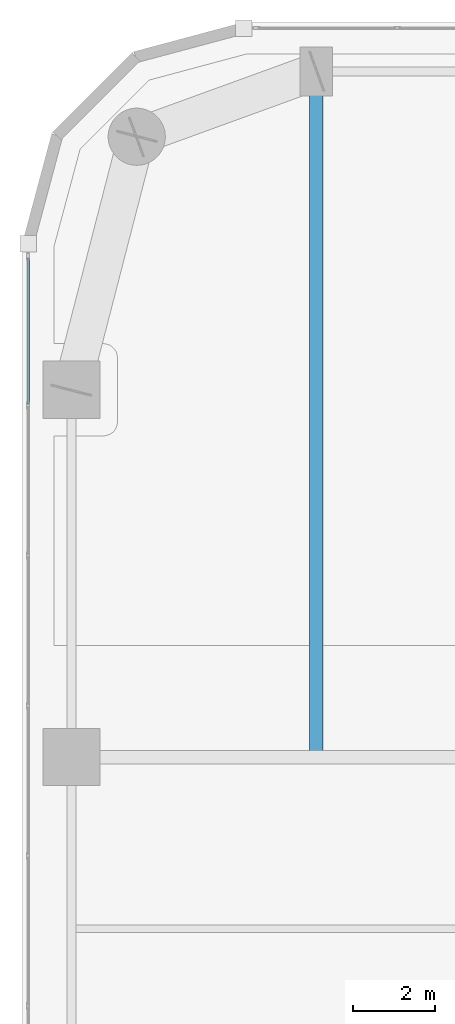
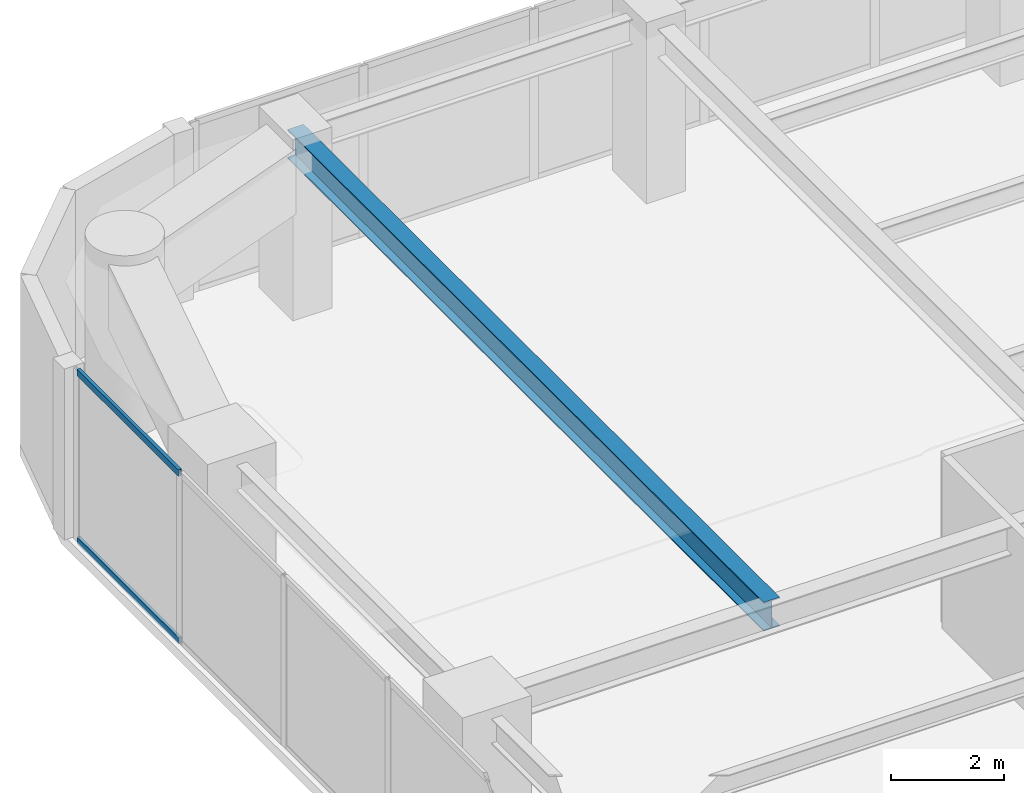
# One storey, part 14 of 30: 2 members, 1 beam, 1 element without a shape of its own.
"""IFC4 building model written with IfcOpenShell, lengths in metres."""

from ifc_helpers import new_model, si_unit, direction, frame, origin, origin_2d, place, context, subcontext, project, spatial, hollow_rectangle, i_section, extrude, material, layer, layer_set, material_profile, profile_set, type_object, element, aggregate, save


model = new_model("IFC4")

# Units and contexts
model_context = context("Model", 3, precision=1e-05, world=origin(), true_north=direction((0.0, 1.0)))
body_context = subcontext(model_context, "Body", "Model", "MODEL_VIEW")
ifc_project = project(units=[si_unit("LENGTHUNIT", "METRE"), si_unit("AREAUNIT", "SQUARE_METRE"), si_unit("VOLUMEUNIT", "CUBIC_METRE"), si_unit("PLANEANGLEUNIT", "RADIAN"), si_unit("MASSUNIT", "GRAM", prefix="KILO")], contexts=[model_context])

# Site, building, storey
site_placement = place(None, origin())
site = spatial("IfcSite", under=ifc_project, at=site_placement, CompositionType="ELEMENT")
building_placement = place(site_placement, origin())
building = spatial("IfcBuilding", under=site, at=building_placement, Name="Kiyonajd Concourse Tower", CompositionType="ELEMENT")
storey_placement = place(building_placement, frame((0.0, 0.0, 150.60009765625)))
storey = spatial("IfcBuildingStorey", under=building, at=storey_placement, Name="L38", CompositionType="ELEMENT", Elevation=150.60009765625)

# Beam
ifc_material_1 = material(Name="Steel ASTM A992 Grade 50", Category="steel")
ifc_material_profile_1 = material_profile(ifc_material_1, i_section(OverallWidth=0.326904296875, OverallDepth=0.6220703125, WebThickness=0.015380859375, FlangeThickness=0.0244140625, at=origin_2d()), Name="W610X195")
ifc_profile_set_1 = profile_set([ifc_material_profile_1], Name="Steel ASTM A992 Grade 50")
beam_type = type_object("IfcBeamType", Name="BM-TWR-610A", PredefinedType="BEAM", material=ifc_profile_set_1)
beam_placement = place(storey_placement, frame((25.199951171875, 44.39990234375, 3.368896484375), z_axis=(0.0, 1.0, 0.0), x_axis=(-1.0, 0.0, 0.0)))
element("IfcBeam", 1, at=beam_placement, inside=storey, type_object=beam_type, Name="L38 North Lease Girder", PredefinedType="BEAM", context=body_context, shape_type="SweptSolid", body=[
    extrude(i_section(OverallWidth=0.326904296875, OverallDepth=0.6220703125, WebThickness=0.015380859375, FlangeThickness=0.0244140625, at=origin_2d()), origin(), (0.0, 0.0, 1.0), 16.800048828125),
])

# Curtain wall, members
ifc_material_2 = material(Name="Thermally Broken Anodised Aluminium", Category="aluminium")
ifc_layer = layer(ifc_material_2, 0.179931640625)
ifc_layer_set = layer_set([ifc_layer], Name="Thermally Broken Anodised Aluminium")
curtain_wall_type = type_object("IfcCurtainWallType", Name="CW-SYS-03", PredefinedType="NOTDEFINED", material=ifc_layer_set)
curtain_wall_placement = place(storey_placement, origin())
curtain_wall = element("IfcCurtainWall", 2, at=curtain_wall_placement, inside=storey, type_object=curtain_wall_type, Name="L38 Unitised Curtain Wall CW3", PredefinedType="NOTDEFINED")
ifc_material_profile_2 = material_profile(ifc_material_2, hollow_rectangle(XDim=0.06494140625, YDim=0.139892578125, WallThickness=0.00390625, at=origin_2d()), Name="TRAN-65x140")
ifc_profile_set_2 = profile_set([ifc_material_profile_2], Name="Thermally Broken Anodised Aluminium")
member_type = type_object("IfcMemberType", Name="MB-CW-TRAN1", PredefinedType="USERDEFINED", material=ifc_profile_set_2)
member_1_placement = place(storey_placement, frame((18.139892578125, 53.047119140625, 0.032470703125), z_axis=(0.0, 1.0, 0.0), x_axis=(-1.0, 0.0, 0.0)))
member_1 = element("IfcMember", 3, at=member_1_placement, type_object=member_type, Name="CW3 transom 6.1", ObjectType="TRANSOM", PredefinedType="USERDEFINED", context=body_context, shape_type="SweptSolid", body=[
    extrude(hollow_rectangle(XDim=0.06494140625, YDim=0.139892578125, WallThickness=0.00390625, at=origin_2d()), origin(), (0.0, 0.0, 1.0), 3.57958984375),
])
member_2_placement = place(storey_placement, frame((18.139892578125, 53.047119140625, 3.6474609375), z_axis=(0.0, 1.0, 0.0), x_axis=(-1.0, 0.0, 0.0)))
member_2 = element("IfcMember", 4, at=member_2_placement, type_object=member_type, Name="CW3 transom 6.2", ObjectType="TRANSOM", PredefinedType="USERDEFINED", context=body_context, shape_type="SweptSolid", body=[
    extrude(hollow_rectangle(XDim=0.06494140625, YDim=0.139892578125, WallThickness=0.00390625, at=origin_2d()), origin(), (0.0, 0.0, 1.0), 3.57958984375),
])
aggregate(curtain_wall, [member_1, member_2])

save(model, "model.ifc")
